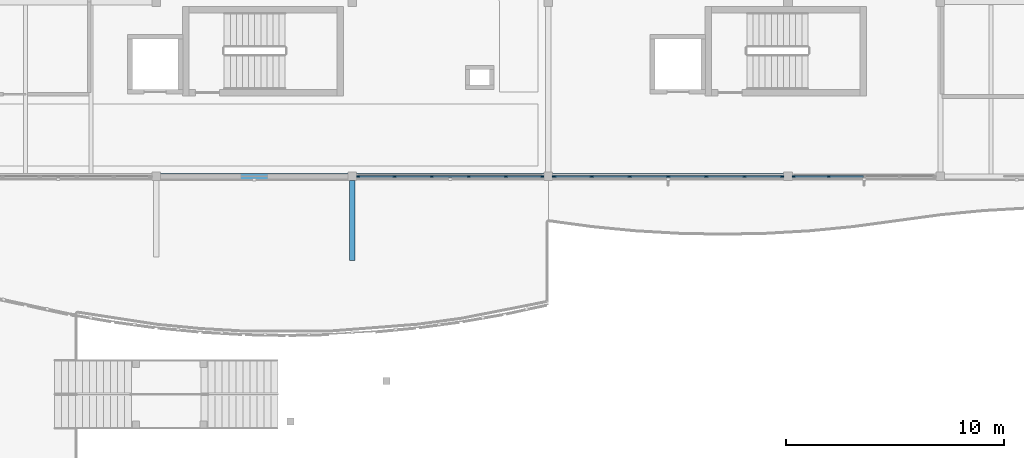
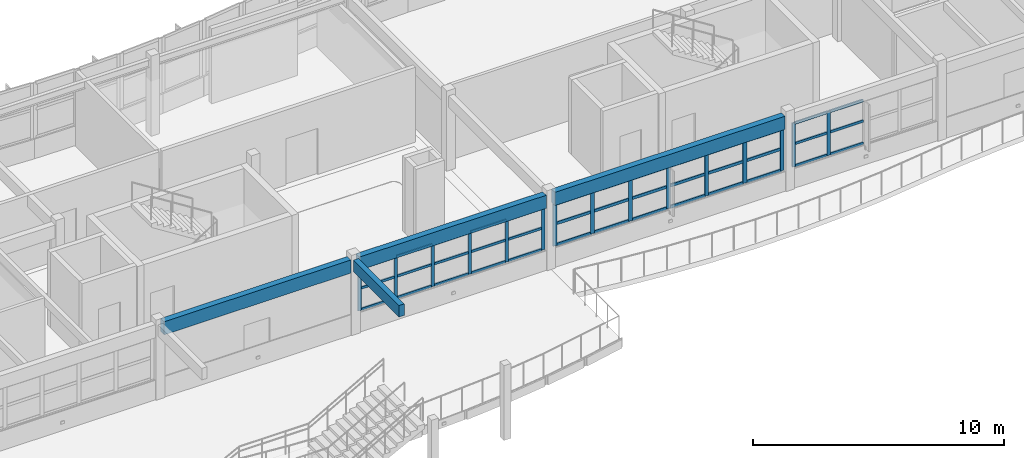
# One storey, part 11 of 52: 54 members, 4 beams, 3 elements without a shape of their own.
"""IFC4 building model written with IfcOpenShell, lengths in metres."""

from ifc_helpers import new_model, si_unit, direction, frame, origin, origin_2d, place, context, subcontext, project, spatial, rectangle, extrude, material, layer, layer_set, material_profile, profile_set, type_object, element, aggregate, save


model = new_model("IFC4")

# Units and contexts
model_context = context("Model", 3, precision=1e-05, world=origin(), true_north=direction((0.0, 1.0)))
body_context = subcontext(model_context, "Body", "Model", "MODEL_VIEW")
ifc_project = project(units=[si_unit("LENGTHUNIT", "METRE"), si_unit("AREAUNIT", "SQUARE_METRE"), si_unit("VOLUMEUNIT", "CUBIC_METRE"), si_unit("PLANEANGLEUNIT", "RADIAN"), si_unit("MASSUNIT", "GRAM", prefix="KILO")], contexts=[model_context])

# Site, building, storey
site_placement = place(None, origin())
site = spatial("IfcSite", under=ifc_project, at=site_placement, CompositionType="ELEMENT")
building_placement = place(site_placement, origin())
building = spatial("IfcBuilding", under=site, at=building_placement, Name="Tonlespit Floodbar School", CompositionType="ELEMENT")
storey_placement = place(building_placement, frame((0.0, 0.0, 12.300048828125)))
storey = spatial("IfcBuildingStorey", under=building, at=storey_placement, Name="L03", CompositionType="ELEMENT", Elevation=12.300048828125)

# Beams
ifc_material_1 = material(Name="Glulam GL28h", Category="wood")
ifc_material_profile_1 = material_profile(ifc_material_1, rectangle(XDim=0.239990234375, YDim=0.56005859375, at=origin_2d()), Name="GL 240x560")
ifc_profile_set_1 = profile_set([ifc_material_profile_1], Name="Glulam GL28h")
beam_type_1 = type_object("IfcBeamType", Name="Beam_GL_240x560", PredefinedType="BEAM", material=ifc_profile_set_1)
beam_1_placement = place(storey_placement, frame((107.0, 103.800048828125, 3.367919921875), z_axis=(0.0, -1.0, 0.0), x_axis=(1.0, 0.0, 0.0)))
element("IfcBeam", 1, at=beam_1_placement, inside=storey, type_object=beam_type_1, Name="L03 V1 curved gallery cantilever rib", PredefinedType="BEAM", context=body_context, shape_type="SweptSolid", body=[
    extrude(rectangle(XDim=0.239990234375, YDim=0.56005859375, at=origin_2d()), origin(), (0.0, 0.0, 1.0), 3.650146484375),
])
ifc_material_profile_2 = material_profile(ifc_material_1, rectangle(XDim=0.280029296875, YDim=0.639892578125, at=origin_2d()), Name="GL 280x640")
ifc_profile_set_2 = profile_set([ifc_material_profile_2], Name="Glulam GL28h")
beam_type_2 = type_object("IfcBeamType", Name="Beam_GL_280x640", PredefinedType="BEAM", material=ifc_profile_set_2)
for number, where, z_axis, x_axis, name in (
    (2, (98.199951171875, 104.0, 3.327880859375), (1.0, 0.0, 0.0), (0.0, 1.0, 0.0), "L03 girder 1173"),
    (3, (107.199951171875, 104.0, 3.327880859375), (1.0, 0.0, 0.0), (0.0, 1.0, 0.0), "L03 girder 1174"),
):
    element("IfcBeam", number, at=place(storey_placement, frame(where, z_axis=z_axis, x_axis=x_axis)), inside=storey, type_object=beam_type_2, Name=name, PredefinedType="BEAM", context=body_context, shape_type="SweptSolid", body=[
        extrude(rectangle(XDim=0.280029296875, YDim=0.639892578125, at=origin_2d()), origin(), (0.0, 0.0, 1.0), 8.60009765625),
    ])
beam_2_placement = place(storey_placement, frame((116.199951171875, 104.0, 3.324951171875), z_axis=(1.0, 0.0, 0.0), x_axis=(0.0, 1.0, 0.0)))
element("IfcBeam", 4, at=beam_2_placement, inside=storey, type_object=beam_type_2, Name="L03 girder 1175", PredefinedType="BEAM", context=body_context, shape_type="SweptSolid", body=[
    extrude(rectangle(XDim=0.280029296875, YDim=0.639892578125, at=origin_2d()), origin(), (0.0, 0.0, 1.0), 10.60009765625),
])

# Curtain wall, members
ifc_material_2 = material(Name="Anodised Aluminium", Category="aluminium")
ifc_layer_1 = layer(ifc_material_2, 0.159912109375)
ifc_layer_set_1 = layer_set([ifc_layer_1], Name="Anodised Aluminium")
curtain_wall_type_1 = type_object("IfcCurtainWallType", Name="CurtainWall_8500x2050", PredefinedType="NOTDEFINED", material=ifc_layer_set_1)
curtain_wall_1_placement = place(storey_placement, origin())
curtain_wall_1 = element("IfcCurtainWall", 5, at=curtain_wall_1_placement, inside=storey, type_object=curtain_wall_type_1, Name="L03 unitised curtain wall 0160", PredefinedType="NOTDEFINED")
ifc_material_profile_3 = material_profile(ifc_material_2, rectangle(XDim=0.06494140625, YDim=0.14990234375, at=origin_2d()), Name="ALU M65x150")
ifc_profile_set_3 = profile_set([ifc_material_profile_3], Name="Anodised Aluminium")
member_type_1 = type_object("IfcMemberType", Name="CW_Mullion_65x150", PredefinedType="MULLION", material=ifc_profile_set_3)
member_1_placement = place(storey_placement, frame((115.7275390625, 104.0, 0.949951171875), z_axis=(0.0, 0.0, 1.0), x_axis=(0.0, -1.0, 0.0)))
member_1 = element("IfcMember", 6, at=member_1_placement, type_object=member_type_1, Name="CW-07 mullion 1", PredefinedType="MULLION", context=body_context, shape_type="SweptSolid", body=[
    extrude(rectangle(XDim=0.06494140625, YDim=0.14990234375, at=origin_2d()), origin(), (0.0, 0.0, 1.0), 2.05810546875),
])
member_2_placement = place(storey_placement, frame((114.055908203125, 104.0, 0.949951171875), z_axis=(0.0, 0.0, 1.0), x_axis=(0.0, -1.0, 0.0)))
member_2 = element("IfcMember", 7, at=member_2_placement, type_object=member_type_1, Name="CW-07 mullion 2", PredefinedType="MULLION", context=body_context, shape_type="SweptSolid", body=[
    extrude(rectangle(XDim=0.06494140625, YDim=0.14990234375, at=origin_2d()), origin(), (0.0, 0.0, 1.0), 2.05810546875),
])
member_3_placement = place(storey_placement, frame((112.35205078125, 104.0, 0.949951171875), z_axis=(0.0, 0.0, 1.0), x_axis=(0.0, -1.0, 0.0)))
member_3 = element("IfcMember", 8, at=member_3_placement, type_object=member_type_1, Name="CW-07 mullion 3", PredefinedType="MULLION", context=body_context, shape_type="SweptSolid", body=[
    extrude(rectangle(XDim=0.06494140625, YDim=0.14990234375, at=origin_2d()), origin(), (0.0, 0.0, 1.0), 2.05810546875),
])
member_4_placement = place(storey_placement, frame((110.64794921875, 104.0, 0.949951171875), z_axis=(0.0, 0.0, 1.0), x_axis=(0.0, -1.0, 0.0)))
member_4 = element("IfcMember", 9, at=member_4_placement, type_object=member_type_1, Name="CW-07 mullion 4", PredefinedType="MULLION", context=body_context, shape_type="SweptSolid", body=[
    extrude(rectangle(XDim=0.06494140625, YDim=0.14990234375, at=origin_2d()), origin(), (0.0, 0.0, 1.0), 2.05810546875),
])
member_5_placement = place(storey_placement, frame((108.944091796875, 104.0, 0.949951171875), z_axis=(0.0, 0.0, 1.0), x_axis=(0.0, -1.0, 0.0)))
member_5 = element("IfcMember", 10, at=member_5_placement, type_object=member_type_1, Name="CW-07 mullion 5", PredefinedType="MULLION", context=body_context, shape_type="SweptSolid", body=[
    extrude(rectangle(XDim=0.06494140625, YDim=0.14990234375, at=origin_2d()), origin(), (0.0, 0.0, 1.0), 2.05810546875),
])
member_6_placement = place(storey_placement, frame((107.2724609375, 104.0, 0.949951171875), z_axis=(0.0, 0.0, 1.0), x_axis=(0.0, -1.0, 0.0)))
member_6 = element("IfcMember", 11, at=member_6_placement, type_object=member_type_1, Name="CW-07 mullion 6", PredefinedType="MULLION", context=body_context, shape_type="SweptSolid", body=[
    extrude(rectangle(XDim=0.06494140625, YDim=0.14990234375, at=origin_2d()), origin(), (0.0, 0.0, 1.0), 2.05810546875),
])

ifc_layer_2 = layer(ifc_material_2, 0.159912109375)
ifc_layer_set_2 = layer_set([ifc_layer_2], Name="Anodised Aluminium")
curtain_wall_type_2 = type_object("IfcCurtainWallType", Name="CurtainWall_6500x2150", PredefinedType="NOTDEFINED", material=ifc_layer_set_2)
curtain_wall_2_placement = place(storey_placement, origin())
curtain_wall_2 = element("IfcCurtainWall", 12, at=curtain_wall_2_placement, inside=storey, type_object=curtain_wall_type_2, Name="L03 unitised curtain wall 0472", PredefinedType="NOTDEFINED")
member_7_placement = place(storey_placement, frame((128.8701171875, 104.0, 0.949951171875), z_axis=(0.0, 0.0, 1.0), x_axis=(0.0, -1.0, 0.0)))
member_7 = element("IfcMember", 13, at=member_7_placement, type_object=member_type_1, Name="CW-67 mullion 4", PredefinedType="MULLION", context=body_context, shape_type="SweptSolid", body=[
    extrude(rectangle(XDim=0.06494140625, YDim=0.14990234375, at=origin_2d()), origin(), (0.0, 0.0, 1.0), 2.135009765625),
])
member_8_placement = place(storey_placement, frame((127.2724609375, 104.0, 0.949951171875), z_axis=(0.0, 0.0, 1.0), x_axis=(0.0, -1.0, 0.0)))
member_8 = element("IfcMember", 14, at=member_8_placement, type_object=member_type_1, Name="CW-67 mullion 5", PredefinedType="MULLION", context=body_context, shape_type="SweptSolid", body=[
    extrude(rectangle(XDim=0.06494140625, YDim=0.14990234375, at=origin_2d()), origin(), (0.0, 0.0, 1.0), 2.135009765625),
])

ifc_layer_3 = layer(ifc_material_2, 0.159912109375)
ifc_layer_set_3 = layer_set([ifc_layer_3], Name="Anodised Aluminium")
curtain_wall_type_3 = type_object("IfcCurtainWallType", Name="CurtainWall_10500x2050", PredefinedType="NOTDEFINED", material=ifc_layer_set_3)
curtain_wall_3_placement = place(storey_placement, origin())
curtain_wall_3 = element("IfcCurtainWall", 15, at=curtain_wall_3_placement, inside=storey, type_object=curtain_wall_type_3, Name="L03 unitised curtain wall 0473", PredefinedType="NOTDEFINED")
ifc_material_profile_4 = material_profile(ifc_material_2, rectangle(XDim=0.06494140625, YDim=0.179931640625, at=origin_2d()), Name="ALU M65x180")
ifc_profile_set_4 = profile_set([ifc_material_profile_4], Name="Anodised Aluminium")
member_type_2 = type_object("IfcMemberType", Name="CW_Mullion_65x180", PredefinedType="MULLION", material=ifc_profile_set_4)
member_9_placement = place(storey_placement, frame((126.7275390625, 104.0, 0.949951171875), z_axis=(0.0, 0.0, 1.0), x_axis=(0.0, -1.0, 0.0)))
member_9 = element("IfcMember", 16, at=member_9_placement, type_object=member_type_2, Name="CW-68 mullion 1", PredefinedType="MULLION", context=body_context, shape_type="SweptSolid", body=[
    extrude(rectangle(XDim=0.06494140625, YDim=0.179931640625, at=origin_2d()), origin(), (0.0, 0.0, 1.0), 2.054931640625),
])
member_10_placement = place(storey_placement, frame((125.006591796875, 104.0, 0.949951171875), z_axis=(0.0, 0.0, 1.0), x_axis=(0.0, -1.0, 0.0)))
member_10 = element("IfcMember", 17, at=member_10_placement, type_object=member_type_2, Name="CW-68 mullion 2", PredefinedType="MULLION", context=body_context, shape_type="SweptSolid", body=[
    extrude(rectangle(XDim=0.06494140625, YDim=0.179931640625, at=origin_2d()), origin(), (0.0, 0.0, 1.0), 2.054931640625),
])
member_11_placement = place(storey_placement, frame((123.25341796875, 104.0, 0.949951171875), z_axis=(0.0, 0.0, 1.0), x_axis=(0.0, -1.0, 0.0)))
member_11 = element("IfcMember", 18, at=member_11_placement, type_object=member_type_2, Name="CW-68 mullion 3", PredefinedType="MULLION", context=body_context, shape_type="SweptSolid", body=[
    extrude(rectangle(XDim=0.06494140625, YDim=0.179931640625, at=origin_2d()), origin(), (0.0, 0.0, 1.0), 2.054931640625),
])
member_12_placement = place(storey_placement, frame((121.5, 104.0, 0.949951171875), z_axis=(0.0, 0.0, 1.0), x_axis=(0.0, -1.0, 0.0)))
member_12 = element("IfcMember", 19, at=member_12_placement, type_object=member_type_2, Name="CW-68 mullion 4", PredefinedType="MULLION", context=body_context, shape_type="SweptSolid", body=[
    extrude(rectangle(XDim=0.06494140625, YDim=0.179931640625, at=origin_2d()), origin(), (0.0, 0.0, 1.0), 2.054931640625),
])
member_13_placement = place(storey_placement, frame((119.74658203125, 104.0, 0.949951171875), z_axis=(0.0, 0.0, 1.0), x_axis=(0.0, -1.0, 0.0)))
member_13 = element("IfcMember", 20, at=member_13_placement, type_object=member_type_2, Name="CW-68 mullion 5", PredefinedType="MULLION", context=body_context, shape_type="SweptSolid", body=[
    extrude(rectangle(XDim=0.06494140625, YDim=0.179931640625, at=origin_2d()), origin(), (0.0, 0.0, 1.0), 2.054931640625),
])
member_14_placement = place(storey_placement, frame((117.993408203125, 104.0, 0.949951171875), z_axis=(0.0, 0.0, 1.0), x_axis=(0.0, -1.0, 0.0)))
member_14 = element("IfcMember", 21, at=member_14_placement, type_object=member_type_2, Name="CW-68 mullion 6", PredefinedType="MULLION", context=body_context, shape_type="SweptSolid", body=[
    extrude(rectangle(XDim=0.06494140625, YDim=0.179931640625, at=origin_2d()), origin(), (0.0, 0.0, 1.0), 2.054931640625),
])
member_15_placement = place(storey_placement, frame((116.2724609375, 104.0, 0.949951171875), z_axis=(0.0, 0.0, 1.0), x_axis=(0.0, -1.0, 0.0)))
member_15 = element("IfcMember", 22, at=member_15_placement, type_object=member_type_2, Name="CW-68 mullion 7", PredefinedType="MULLION", context=body_context, shape_type="SweptSolid", body=[
    extrude(rectangle(XDim=0.06494140625, YDim=0.179931640625, at=origin_2d()), origin(), (0.0, 0.0, 1.0), 2.054931640625),
])

# Member
ifc_material_profile_5 = material_profile(ifc_material_2, rectangle(XDim=0.06494140625, YDim=0.1201171875, at=origin_2d()), Name="ALU T65x120")
ifc_profile_set_5 = profile_set([ifc_material_profile_5], Name="Anodised Aluminium")
member_type_3 = type_object("IfcMemberType", Name="CW_Transom_65x120", PredefinedType="USERDEFINED", material=ifc_profile_set_5)
member_16_placement = place(storey_placement, frame((115.695068359375, 104.0, 0.982421875), z_axis=(-1.0, 0.0, 0.0), x_axis=(0.0, -1.0, 0.0)))
member_16 = element("IfcMember", 23, at=member_16_placement, type_object=member_type_3, Name="CW-07 transom 1.1", ObjectType="TRANSOM", PredefinedType="USERDEFINED", context=body_context, shape_type="SweptSolid", body=[
    extrude(rectangle(XDim=0.06494140625, YDim=0.1201171875, at=origin_2d()), origin(), (0.0, 0.0, 1.0), 1.606689453125),
])

member_17_placement = place(storey_placement, frame((115.695068359375, 104.0, 2.020263671875), z_axis=(-1.0, 0.0, 0.0), x_axis=(0.0, -1.0, 0.0)))
member_17 = element("IfcMember", 24, at=member_17_placement, type_object=member_type_3, Name="CW-07 transom 1.2", ObjectType="TRANSOM", PredefinedType="USERDEFINED", context=body_context, shape_type="SweptSolid", body=[
    extrude(rectangle(XDim=0.06494140625, YDim=0.1201171875, at=origin_2d()), origin(), (0.0, 0.0, 1.0), 1.606689453125),
])

member_18_placement = place(storey_placement, frame((115.695068359375, 104.0, 2.975341796875), z_axis=(-1.0, 0.0, 0.0), x_axis=(0.0, -1.0, 0.0)))
member_18 = element("IfcMember", 25, at=member_18_placement, type_object=member_type_3, Name="CW-07 transom 1.3", ObjectType="TRANSOM", PredefinedType="USERDEFINED", context=body_context, shape_type="SweptSolid", body=[
    extrude(rectangle(XDim=0.06494140625, YDim=0.1201171875, at=origin_2d()), origin(), (0.0, 0.0, 1.0), 1.606689453125),
])

member_19_placement = place(storey_placement, frame((114.0234375, 104.0, 0.982421875), z_axis=(-1.0, 0.0, 0.0), x_axis=(0.0, -1.0, 0.0)))
member_19 = element("IfcMember", 26, at=member_19_placement, type_object=member_type_3, Name="CW-07 transom 2.1", ObjectType="TRANSOM", PredefinedType="USERDEFINED", context=body_context, shape_type="SweptSolid", body=[
    extrude(rectangle(XDim=0.06494140625, YDim=0.1201171875, at=origin_2d()), origin(), (0.0, 0.0, 1.0), 1.638916015625),
])

member_20_placement = place(storey_placement, frame((114.0234375, 104.0, 2.020263671875), z_axis=(-1.0, 0.0, 0.0), x_axis=(0.0, -1.0, 0.0)))
member_20 = element("IfcMember", 27, at=member_20_placement, type_object=member_type_3, Name="CW-07 transom 2.2", ObjectType="TRANSOM", PredefinedType="USERDEFINED", context=body_context, shape_type="SweptSolid", body=[
    extrude(rectangle(XDim=0.06494140625, YDim=0.1201171875, at=origin_2d()), origin(), (0.0, 0.0, 1.0), 1.638916015625),
])

member_21_placement = place(storey_placement, frame((114.0234375, 104.0, 2.975341796875), z_axis=(-1.0, 0.0, 0.0), x_axis=(0.0, -1.0, 0.0)))
member_21 = element("IfcMember", 28, at=member_21_placement, type_object=member_type_3, Name="CW-07 transom 2.3", ObjectType="TRANSOM", PredefinedType="USERDEFINED", context=body_context, shape_type="SweptSolid", body=[
    extrude(rectangle(XDim=0.06494140625, YDim=0.1201171875, at=origin_2d()), origin(), (0.0, 0.0, 1.0), 1.638916015625),
])

member_22_placement = place(storey_placement, frame((112.319580078125, 104.0, 0.982421875), z_axis=(-1.0, 0.0, 0.0), x_axis=(0.0, -1.0, 0.0)))
member_22 = element("IfcMember", 29, at=member_22_placement, type_object=member_type_3, Name="CW-07 transom 3.1", ObjectType="TRANSOM", PredefinedType="USERDEFINED", context=body_context, shape_type="SweptSolid", body=[
    extrude(rectangle(XDim=0.06494140625, YDim=0.1201171875, at=origin_2d()), origin(), (0.0, 0.0, 1.0), 1.63916015625),
])

member_23_placement = place(storey_placement, frame((112.319580078125, 104.0, 2.020263671875), z_axis=(-1.0, 0.0, 0.0), x_axis=(0.0, -1.0, 0.0)))
member_23 = element("IfcMember", 30, at=member_23_placement, type_object=member_type_3, Name="CW-07 transom 3.2", ObjectType="TRANSOM", PredefinedType="USERDEFINED", context=body_context, shape_type="SweptSolid", body=[
    extrude(rectangle(XDim=0.06494140625, YDim=0.1201171875, at=origin_2d()), origin(), (0.0, 0.0, 1.0), 1.63916015625),
])

member_24_placement = place(storey_placement, frame((112.319580078125, 104.0, 2.975341796875), z_axis=(-1.0, 0.0, 0.0), x_axis=(0.0, -1.0, 0.0)))
member_24 = element("IfcMember", 31, at=member_24_placement, type_object=member_type_3, Name="CW-07 transom 3.3", ObjectType="TRANSOM", PredefinedType="USERDEFINED", context=body_context, shape_type="SweptSolid", body=[
    extrude(rectangle(XDim=0.06494140625, YDim=0.1201171875, at=origin_2d()), origin(), (0.0, 0.0, 1.0), 1.63916015625),
])

member_25_placement = place(storey_placement, frame((110.615478515625, 104.0, 0.982421875), z_axis=(-1.0, 0.0, 0.0), x_axis=(0.0, -1.0, 0.0)))
member_25 = element("IfcMember", 32, at=member_25_placement, type_object=member_type_3, Name="CW-07 transom 4.1", ObjectType="TRANSOM", PredefinedType="USERDEFINED", context=body_context, shape_type="SweptSolid", body=[
    extrude(rectangle(XDim=0.06494140625, YDim=0.1201171875, at=origin_2d()), origin(), (0.0, 0.0, 1.0), 1.638916015625),
])

member_26_placement = place(storey_placement, frame((110.615478515625, 104.0, 2.020263671875), z_axis=(-1.0, 0.0, 0.0), x_axis=(0.0, -1.0, 0.0)))
member_26 = element("IfcMember", 33, at=member_26_placement, type_object=member_type_3, Name="CW-07 transom 4.2", ObjectType="TRANSOM", PredefinedType="USERDEFINED", context=body_context, shape_type="SweptSolid", body=[
    extrude(rectangle(XDim=0.06494140625, YDim=0.1201171875, at=origin_2d()), origin(), (0.0, 0.0, 1.0), 1.638916015625),
])

member_27_placement = place(storey_placement, frame((110.615478515625, 104.0, 2.975341796875), z_axis=(-1.0, 0.0, 0.0), x_axis=(0.0, -1.0, 0.0)))
member_27 = element("IfcMember", 34, at=member_27_placement, type_object=member_type_3, Name="CW-07 transom 4.3", ObjectType="TRANSOM", PredefinedType="USERDEFINED", context=body_context, shape_type="SweptSolid", body=[
    extrude(rectangle(XDim=0.06494140625, YDim=0.1201171875, at=origin_2d()), origin(), (0.0, 0.0, 1.0), 1.638916015625),
])

member_28_placement = place(storey_placement, frame((108.91162109375, 104.0, 0.982421875), z_axis=(-1.0, 0.0, 0.0), x_axis=(0.0, -1.0, 0.0)))
member_28 = element("IfcMember", 35, at=member_28_placement, type_object=member_type_3, Name="CW-07 transom 5.1", ObjectType="TRANSOM", PredefinedType="USERDEFINED", context=body_context, shape_type="SweptSolid", body=[
    extrude(rectangle(XDim=0.06494140625, YDim=0.1201171875, at=origin_2d()), origin(), (0.0, 0.0, 1.0), 1.606689453125),
])

member_29_placement = place(storey_placement, frame((108.91162109375, 104.0, 2.020263671875), z_axis=(-1.0, 0.0, 0.0), x_axis=(0.0, -1.0, 0.0)))
member_29 = element("IfcMember", 36, at=member_29_placement, type_object=member_type_3, Name="CW-07 transom 5.2", ObjectType="TRANSOM", PredefinedType="USERDEFINED", context=body_context, shape_type="SweptSolid", body=[
    extrude(rectangle(XDim=0.06494140625, YDim=0.1201171875, at=origin_2d()), origin(), (0.0, 0.0, 1.0), 1.606689453125),
])

member_30_placement = place(storey_placement, frame((108.91162109375, 104.0, 2.975341796875), z_axis=(-1.0, 0.0, 0.0), x_axis=(0.0, -1.0, 0.0)))
member_30 = element("IfcMember", 37, at=member_30_placement, type_object=member_type_3, Name="CW-07 transom 5.3", ObjectType="TRANSOM", PredefinedType="USERDEFINED", context=body_context, shape_type="SweptSolid", body=[
    extrude(rectangle(XDim=0.06494140625, YDim=0.1201171875, at=origin_2d()), origin(), (0.0, 0.0, 1.0), 1.606689453125),
])

aggregate(curtain_wall_1, [member_1, member_2, member_3, member_4, member_5, member_6, member_16, member_17, member_18, member_19, member_20, member_21, member_22, member_23, member_24, member_25, member_26, member_27, member_28, member_29, member_30])

member_31_placement = place(storey_placement, frame((130.467529296875, 104.0, 0.982421875), z_axis=(-1.0, 0.0, 0.0), x_axis=(0.0, -1.0, 0.0)))
member_31 = element("IfcMember", 38, at=member_31_placement, type_object=member_type_3, Name="CW-67 transom 3.1", ObjectType="TRANSOM", PredefinedType="USERDEFINED", context=body_context, shape_type="SweptSolid", body=[
    extrude(rectangle(XDim=0.06494140625, YDim=0.1201171875, at=origin_2d()), origin(), (0.0, 0.0, 1.0), 1.56494140625),
])

member_32_placement = place(storey_placement, frame((130.467529296875, 104.0, 2.06005859375), z_axis=(-1.0, 0.0, 0.0), x_axis=(0.0, -1.0, 0.0)))
member_32 = element("IfcMember", 39, at=member_32_placement, type_object=member_type_3, Name="CW-67 transom 3.2", ObjectType="TRANSOM", PredefinedType="USERDEFINED", context=body_context, shape_type="SweptSolid", body=[
    extrude(rectangle(XDim=0.06494140625, YDim=0.1201171875, at=origin_2d()), origin(), (0.0, 0.0, 1.0), 1.56494140625),
])

member_33_placement = place(storey_placement, frame((130.467529296875, 104.0, 3.052490234375), z_axis=(-1.0, 0.0, 0.0), x_axis=(0.0, -1.0, 0.0)))
member_33 = element("IfcMember", 40, at=member_33_placement, type_object=member_type_3, Name="CW-67 transom 3.3", ObjectType="TRANSOM", PredefinedType="USERDEFINED", context=body_context, shape_type="SweptSolid", body=[
    extrude(rectangle(XDim=0.06494140625, YDim=0.1201171875, at=origin_2d()), origin(), (0.0, 0.0, 1.0), 1.56494140625),
])

member_34_placement = place(storey_placement, frame((128.83740234375, 104.0, 0.982421875), z_axis=(-1.0, 0.0, 0.0), x_axis=(0.0, -1.0, 0.0)))
member_34 = element("IfcMember", 41, at=member_34_placement, type_object=member_type_3, Name="CW-67 transom 4.1", ObjectType="TRANSOM", PredefinedType="USERDEFINED", context=body_context, shape_type="SweptSolid", body=[
    extrude(rectangle(XDim=0.06494140625, YDim=0.1201171875, at=origin_2d()), origin(), (0.0, 0.0, 1.0), 1.532470703125),
])

member_35_placement = place(storey_placement, frame((128.83740234375, 104.0, 2.06005859375), z_axis=(-1.0, 0.0, 0.0), x_axis=(0.0, -1.0, 0.0)))
member_35 = element("IfcMember", 42, at=member_35_placement, type_object=member_type_3, Name="CW-67 transom 4.2", ObjectType="TRANSOM", PredefinedType="USERDEFINED", context=body_context, shape_type="SweptSolid", body=[
    extrude(rectangle(XDim=0.06494140625, YDim=0.1201171875, at=origin_2d()), origin(), (0.0, 0.0, 1.0), 1.532470703125),
])

member_36_placement = place(storey_placement, frame((128.83740234375, 104.0, 3.052490234375), z_axis=(-1.0, 0.0, 0.0), x_axis=(0.0, -1.0, 0.0)))
member_36 = element("IfcMember", 43, at=member_36_placement, type_object=member_type_3, Name="CW-67 transom 4.3", ObjectType="TRANSOM", PredefinedType="USERDEFINED", context=body_context, shape_type="SweptSolid", body=[
    extrude(rectangle(XDim=0.06494140625, YDim=0.1201171875, at=origin_2d()), origin(), (0.0, 0.0, 1.0), 1.532470703125),
])

aggregate(curtain_wall_2, [member_7, member_8, member_31, member_32, member_33, member_34, member_35, member_36])

ifc_material_profile_6 = material_profile(ifc_material_2, rectangle(XDim=0.06494140625, YDim=0.139892578125, at=origin_2d()), Name="ALU T65x140")
ifc_profile_set_6 = profile_set([ifc_material_profile_6], Name="Anodised Aluminium")
member_type_4 = type_object("IfcMemberType", Name="CW_Transom_65x140", PredefinedType="USERDEFINED", material=ifc_profile_set_6)
member_37_placement = place(storey_placement, frame((126.695068359375, 104.0, 0.982421875), z_axis=(-1.0, 0.0, 0.0), x_axis=(0.0, -1.0, 0.0)))
member_37 = element("IfcMember", 44, at=member_37_placement, type_object=member_type_4, Name="CW-68 transom 1.1", ObjectType="TRANSOM", PredefinedType="USERDEFINED", context=body_context, shape_type="SweptSolid", body=[
    extrude(rectangle(XDim=0.06494140625, YDim=0.139892578125, at=origin_2d()), origin(), (0.0, 0.0, 1.0), 1.656005859375),
])

member_38_placement = place(storey_placement, frame((126.695068359375, 104.0, 2.0185546875), z_axis=(-1.0, 0.0, 0.0), x_axis=(0.0, -1.0, 0.0)))
member_38 = element("IfcMember", 45, at=member_38_placement, type_object=member_type_4, Name="CW-68 transom 1.2", ObjectType="TRANSOM", PredefinedType="USERDEFINED", context=body_context, shape_type="SweptSolid", body=[
    extrude(rectangle(XDim=0.06494140625, YDim=0.139892578125, at=origin_2d()), origin(), (0.0, 0.0, 1.0), 1.656005859375),
])

member_39_placement = place(storey_placement, frame((126.695068359375, 104.0, 2.972412109375), z_axis=(-1.0, 0.0, 0.0), x_axis=(0.0, -1.0, 0.0)))
member_39 = element("IfcMember", 46, at=member_39_placement, type_object=member_type_4, Name="CW-68 transom 1.3", ObjectType="TRANSOM", PredefinedType="USERDEFINED", context=body_context, shape_type="SweptSolid", body=[
    extrude(rectangle(XDim=0.06494140625, YDim=0.139892578125, at=origin_2d()), origin(), (0.0, 0.0, 1.0), 1.656005859375),
])

member_40_placement = place(storey_placement, frame((124.97412109375, 104.0, 0.982421875), z_axis=(-1.0, 0.0, 0.0), x_axis=(0.0, -1.0, 0.0)))
member_40 = element("IfcMember", 47, at=member_40_placement, type_object=member_type_4, Name="CW-68 transom 2.1", ObjectType="TRANSOM", PredefinedType="USERDEFINED", context=body_context, shape_type="SweptSolid", body=[
    extrude(rectangle(XDim=0.06494140625, YDim=0.139892578125, at=origin_2d()), origin(), (0.0, 0.0, 1.0), 1.688232421875),
])

member_41_placement = place(storey_placement, frame((124.97412109375, 104.0, 2.0185546875), z_axis=(-1.0, 0.0, 0.0), x_axis=(0.0, -1.0, 0.0)))
member_41 = element("IfcMember", 48, at=member_41_placement, type_object=member_type_4, Name="CW-68 transom 2.2", ObjectType="TRANSOM", PredefinedType="USERDEFINED", context=body_context, shape_type="SweptSolid", body=[
    extrude(rectangle(XDim=0.06494140625, YDim=0.139892578125, at=origin_2d()), origin(), (0.0, 0.0, 1.0), 1.688232421875),
])

member_42_placement = place(storey_placement, frame((124.97412109375, 104.0, 2.972412109375), z_axis=(-1.0, 0.0, 0.0), x_axis=(0.0, -1.0, 0.0)))
member_42 = element("IfcMember", 49, at=member_42_placement, type_object=member_type_4, Name="CW-68 transom 2.3", ObjectType="TRANSOM", PredefinedType="USERDEFINED", context=body_context, shape_type="SweptSolid", body=[
    extrude(rectangle(XDim=0.06494140625, YDim=0.139892578125, at=origin_2d()), origin(), (0.0, 0.0, 1.0), 1.688232421875),
])

member_43_placement = place(storey_placement, frame((123.220947265625, 104.0, 0.982421875), z_axis=(-1.0, 0.0, 0.0), x_axis=(0.0, -1.0, 0.0)))
member_43 = element("IfcMember", 50, at=member_43_placement, type_object=member_type_4, Name="CW-68 transom 3.1", ObjectType="TRANSOM", PredefinedType="USERDEFINED", context=body_context, shape_type="SweptSolid", body=[
    extrude(rectangle(XDim=0.06494140625, YDim=0.139892578125, at=origin_2d()), origin(), (0.0, 0.0, 1.0), 1.6884765625),
])

member_44_placement = place(storey_placement, frame((123.220947265625, 104.0, 2.0185546875), z_axis=(-1.0, 0.0, 0.0), x_axis=(0.0, -1.0, 0.0)))
member_44 = element("IfcMember", 51, at=member_44_placement, type_object=member_type_4, Name="CW-68 transom 3.2", ObjectType="TRANSOM", PredefinedType="USERDEFINED", context=body_context, shape_type="SweptSolid", body=[
    extrude(rectangle(XDim=0.06494140625, YDim=0.139892578125, at=origin_2d()), origin(), (0.0, 0.0, 1.0), 1.6884765625),
])

member_45_placement = place(storey_placement, frame((123.220947265625, 104.0, 2.972412109375), z_axis=(-1.0, 0.0, 0.0), x_axis=(0.0, -1.0, 0.0)))
member_45 = element("IfcMember", 52, at=member_45_placement, type_object=member_type_4, Name="CW-68 transom 3.3", ObjectType="TRANSOM", PredefinedType="USERDEFINED", context=body_context, shape_type="SweptSolid", body=[
    extrude(rectangle(XDim=0.06494140625, YDim=0.139892578125, at=origin_2d()), origin(), (0.0, 0.0, 1.0), 1.6884765625),
])

member_46_placement = place(storey_placement, frame((121.467529296875, 104.0, 0.982421875), z_axis=(-1.0, 0.0, 0.0), x_axis=(0.0, -1.0, 0.0)))
member_46 = element("IfcMember", 53, at=member_46_placement, type_object=member_type_4, Name="CW-68 transom 4.1", ObjectType="TRANSOM", PredefinedType="USERDEFINED", context=body_context, shape_type="SweptSolid", body=[
    extrude(rectangle(XDim=0.06494140625, YDim=0.139892578125, at=origin_2d()), origin(), (0.0, 0.0, 1.0), 1.6884765625),
])

member_47_placement = place(storey_placement, frame((121.467529296875, 104.0, 2.0185546875), z_axis=(-1.0, 0.0, 0.0), x_axis=(0.0, -1.0, 0.0)))
member_47 = element("IfcMember", 54, at=member_47_placement, type_object=member_type_4, Name="CW-68 transom 4.2", ObjectType="TRANSOM", PredefinedType="USERDEFINED", context=body_context, shape_type="SweptSolid", body=[
    extrude(rectangle(XDim=0.06494140625, YDim=0.139892578125, at=origin_2d()), origin(), (0.0, 0.0, 1.0), 1.6884765625),
])

member_48_placement = place(storey_placement, frame((121.467529296875, 104.0, 2.972412109375), z_axis=(-1.0, 0.0, 0.0), x_axis=(0.0, -1.0, 0.0)))
member_48 = element("IfcMember", 55, at=member_48_placement, type_object=member_type_4, Name="CW-68 transom 4.3", ObjectType="TRANSOM", PredefinedType="USERDEFINED", context=body_context, shape_type="SweptSolid", body=[
    extrude(rectangle(XDim=0.06494140625, YDim=0.139892578125, at=origin_2d()), origin(), (0.0, 0.0, 1.0), 1.6884765625),
])

member_49_placement = place(storey_placement, frame((119.714111328125, 104.0, 0.982421875), z_axis=(-1.0, 0.0, 0.0), x_axis=(0.0, -1.0, 0.0)))
member_49 = element("IfcMember", 56, at=member_49_placement, type_object=member_type_4, Name="CW-68 transom 5.1", ObjectType="TRANSOM", PredefinedType="USERDEFINED", context=body_context, shape_type="SweptSolid", body=[
    extrude(rectangle(XDim=0.06494140625, YDim=0.139892578125, at=origin_2d()), origin(), (0.0, 0.0, 1.0), 1.688232421875),
])

member_50_placement = place(storey_placement, frame((119.714111328125, 104.0, 2.0185546875), z_axis=(-1.0, 0.0, 0.0), x_axis=(0.0, -1.0, 0.0)))
member_50 = element("IfcMember", 57, at=member_50_placement, type_object=member_type_4, Name="CW-68 transom 5.2", ObjectType="TRANSOM", PredefinedType="USERDEFINED", context=body_context, shape_type="SweptSolid", body=[
    extrude(rectangle(XDim=0.06494140625, YDim=0.139892578125, at=origin_2d()), origin(), (0.0, 0.0, 1.0), 1.688232421875),
])

member_51_placement = place(storey_placement, frame((119.714111328125, 104.0, 2.972412109375), z_axis=(-1.0, 0.0, 0.0), x_axis=(0.0, -1.0, 0.0)))
member_51 = element("IfcMember", 58, at=member_51_placement, type_object=member_type_4, Name="CW-68 transom 5.3", ObjectType="TRANSOM", PredefinedType="USERDEFINED", context=body_context, shape_type="SweptSolid", body=[
    extrude(rectangle(XDim=0.06494140625, YDim=0.139892578125, at=origin_2d()), origin(), (0.0, 0.0, 1.0), 1.688232421875),
])

member_52_placement = place(storey_placement, frame((117.9609375, 104.0, 0.982421875), z_axis=(-1.0, 0.0, 0.0), x_axis=(0.0, -1.0, 0.0)))
member_52 = element("IfcMember", 59, at=member_52_placement, type_object=member_type_4, Name="CW-68 transom 6.1", ObjectType="TRANSOM", PredefinedType="USERDEFINED", context=body_context, shape_type="SweptSolid", body=[
    extrude(rectangle(XDim=0.06494140625, YDim=0.139892578125, at=origin_2d()), origin(), (0.0, 0.0, 1.0), 1.656005859375),
])

member_53_placement = place(storey_placement, frame((117.9609375, 104.0, 2.0185546875), z_axis=(-1.0, 0.0, 0.0), x_axis=(0.0, -1.0, 0.0)))
member_53 = element("IfcMember", 60, at=member_53_placement, type_object=member_type_4, Name="CW-68 transom 6.2", ObjectType="TRANSOM", PredefinedType="USERDEFINED", context=body_context, shape_type="SweptSolid", body=[
    extrude(rectangle(XDim=0.06494140625, YDim=0.139892578125, at=origin_2d()), origin(), (0.0, 0.0, 1.0), 1.656005859375),
])

member_54_placement = place(storey_placement, frame((117.9609375, 104.0, 2.972412109375), z_axis=(-1.0, 0.0, 0.0), x_axis=(0.0, -1.0, 0.0)))
member_54 = element("IfcMember", 61, at=member_54_placement, type_object=member_type_4, Name="CW-68 transom 6.3", ObjectType="TRANSOM", PredefinedType="USERDEFINED", context=body_context, shape_type="SweptSolid", body=[
    extrude(rectangle(XDim=0.06494140625, YDim=0.139892578125, at=origin_2d()), origin(), (0.0, 0.0, 1.0), 1.656005859375),
])

aggregate(curtain_wall_3, [member_9, member_10, member_11, member_12, member_13, member_14, member_15, member_37, member_38, member_39, member_40, member_41, member_42, member_43, member_44, member_45, member_46, member_47, member_48, member_49, member_50, member_51, member_52, member_53, member_54])

save(model, "model.ifc")
